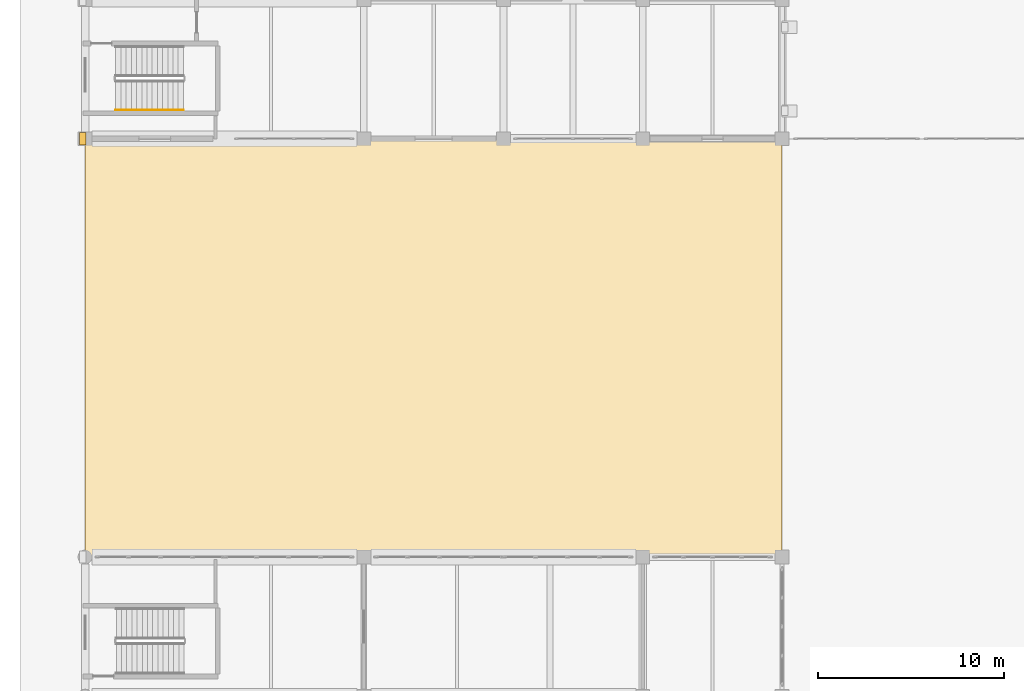
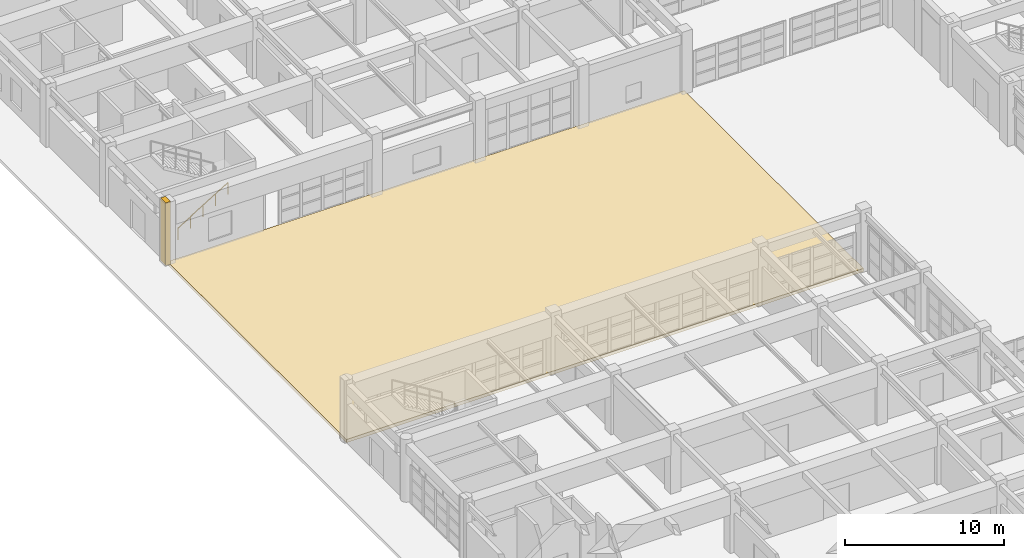
# One storey, part 112 of 122: 2 coverings, 1 railing.
"""IFC4 building model written with IfcOpenShell, lengths in metres."""

from ifc_helpers import new_model, si_unit, direction, frame, origin, origin_2d, place, context, subcontext, project, spatial, polyline, rectangle, circle, outline, extrude, material, layer, layer_set, type_object, element, save


model = new_model("IFC4")

# Units and contexts
model_context = context("Model", 3, precision=1e-05, world=origin(), true_north=direction((0.0, 1.0)))
body_context = subcontext(model_context, "Body", "Model", "MODEL_VIEW")
ifc_project = project(units=[si_unit("LENGTHUNIT", "METRE"), si_unit("AREAUNIT", "SQUARE_METRE"), si_unit("VOLUMEUNIT", "CUBIC_METRE"), si_unit("PLANEANGLEUNIT", "RADIAN"), si_unit("MASSUNIT", "GRAM", prefix="KILO")], contexts=[model_context])

# Site, building, storey
site_placement = place(None, origin())
site = spatial("IfcSite", under=ifc_project, at=site_placement, CompositionType="ELEMENT")
building_placement = place(site_placement, origin())
building = spatial("IfcBuilding", under=site, at=building_placement, Name="Qasida Concert Hall", CompositionType="ELEMENT")
storey_placement = place(building_placement, origin())
storey = spatial("IfcBuildingStorey", under=building, at=storey_placement, Name="L00", CompositionType="ELEMENT", Elevation=0.0)

# Coverings
ifc_material_1 = material(Name="Bush-hammered Lebanese limestone plaza paving", Category="masonry")
ifc_layer_1 = layer(ifc_material_1, 0.25, Name="Bush-hammered Lebanese limestone plaza paving")
ifc_layer_set_1 = layer_set([ifc_layer_1], Name="Bush-hammered Lebanese limestone plaza paving")
covering_type_1 = type_object("IfcCoveringType", Name="CV-PAV-250", PredefinedType="FLOORING", material=ifc_layer_set_1)
covering_1_placement = place(storey_placement, frame((0.0, 0.0, -0.25)))
element("IfcCovering", 1, at=covering_1_placement, inside=storey, type_object=covering_type_1, Name="L00 West conservatory court plaza", PredefinedType="FLOORING", context=body_context, shape_type="SweptSolid", body=[
    extrude(outline(polyline([(0.0, 52.5), (37.5, 52.5), (37.5, 75.0), (0.0, 75.0), (0.0, 52.5)])), origin(), (0.0, 0.0, 1.0), 0.25),
])
ifc_material_2 = material(Name="Projecting fluted Lebanese limestone Art Deco pilaster", Category="masonry")
ifc_layer_2 = layer(ifc_material_2, 0.35009765625, Name="Projecting fluted Lebanese limestone Art Deco pilaster")
ifc_layer_set_2 = layer_set([ifc_layer_2], Name="Projecting fluted Lebanese limestone Art Deco pilaster")
covering_type_2 = type_object("IfcCoveringType", Name="CV-PIL-650", PredefinedType="CLADDING", material=ifc_layer_set_2)
covering_2_placement = place(storey_placement, frame((-0.135009765625, 75.0, 0.0), z_axis=(0.0, 0.0, 1.0), x_axis=(1.0, 0.0, 0.0)))
element("IfcCovering", 2, at=covering_2_placement, inside=storey, type_object=covering_type_2, Name="L00 fluted limestone pilaster 0265", PredefinedType="CLADDING", context=body_context, shape_type="SweptSolid", body=[
    extrude(rectangle(XDim=0.35009765625, YDim=0.64990234375, at=origin_2d()), origin(), (0.0, 0.0, 1.0), 4.800048828125),
])

# Railing
ifc_material_3 = material(Name="Patinated tubular architectural bronze", Category="steel")
ifc_layer_3 = layer(ifc_material_3, 0.050048828125, Name="Patinated tubular architectural bronze")
ifc_layer_set_3 = layer_set([ifc_layer_3], Name="Patinated tubular architectural bronze")
railing_type = type_object("IfcRailingType", Name="RL-HND-900", PredefinedType="HANDRAIL", material=ifc_layer_set_3)
railing_placement = place(storey_placement, frame((1.64990234375, 76.550048828125, 0.17138671875)))
element("IfcRailing", 3, at=railing_placement, inside=storey, type_object=railing_type, Name="L00 ST-05 stair handrail 1", PredefinedType="HANDRAIL", context=body_context, shape_type="SweptSolid", body=[
    extrude(circle(Radius=0.02392578125, at=origin_2d()), frame((0.0, 0.0, 0.8759765625), z_axis=(0.852865859571, 0.0, 0.52213008492), x_axis=(0.0, 1.0, 0.0)), (0.0, 0.0, 1.0), 4.26806640625),
    extrude(circle(Radius=0.02099609375, at=origin_2d()), origin(), (0.0, 0.0, 1.0), 0.851806640625),
    extrude(circle(Radius=0.02099609375, at=origin_2d()), frame((0.91015625, 0.0, 0.55712890625)), (0.0, 0.0, 1.0), 0.851806640625),
    extrude(circle(Radius=0.02099609375, at=origin_2d()), frame((1.820068359375, 0.0, 1.1142578125)), (0.0, 0.0, 1.0), 0.851806640625),
    extrude(circle(Radius=0.02099609375, at=origin_2d()), frame((2.72998046875, 0.0, 1.67138671875)), (0.0, 0.0, 1.0), 0.851806640625),
    extrude(circle(Radius=0.02099609375, at=origin_2d()), frame((3.64013671875, 0.0, 2.228515625)), (0.0, 0.0, 1.0), 0.851806640625),
])

save(model, "model.ifc")
